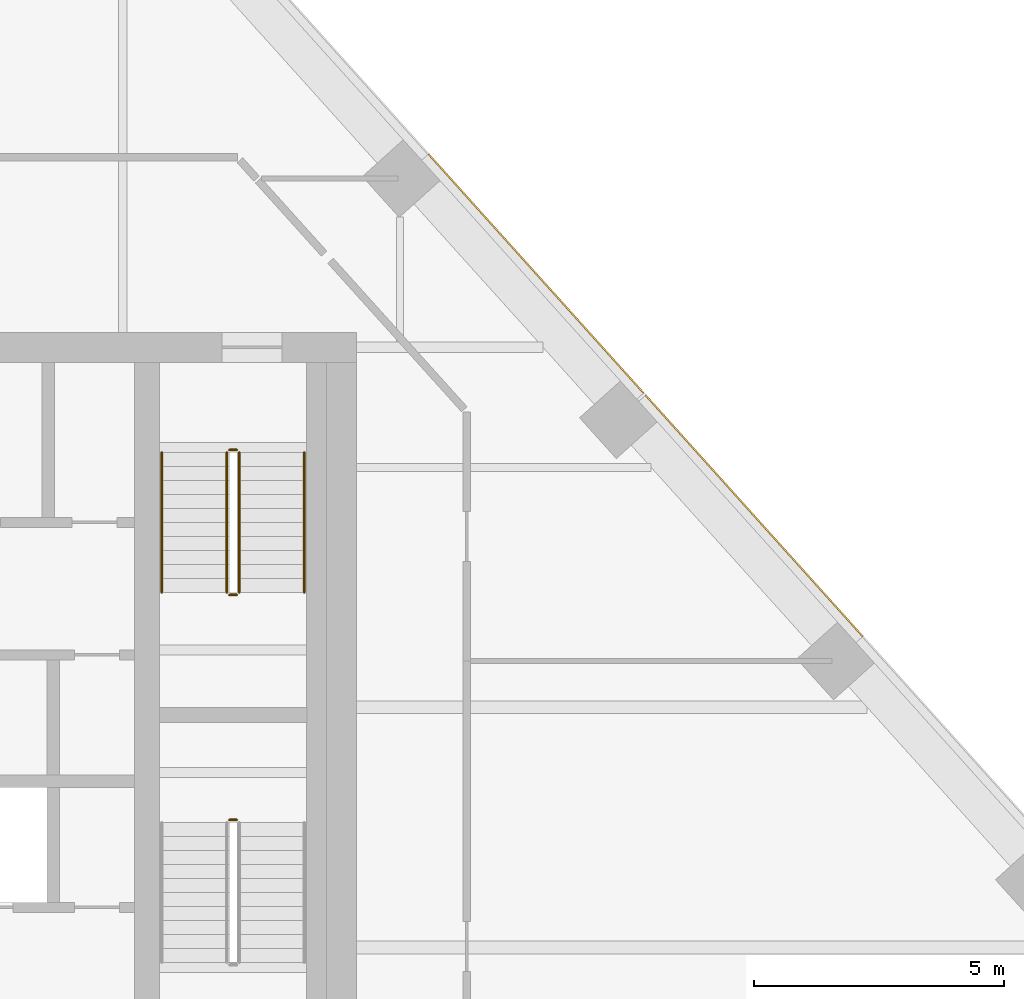
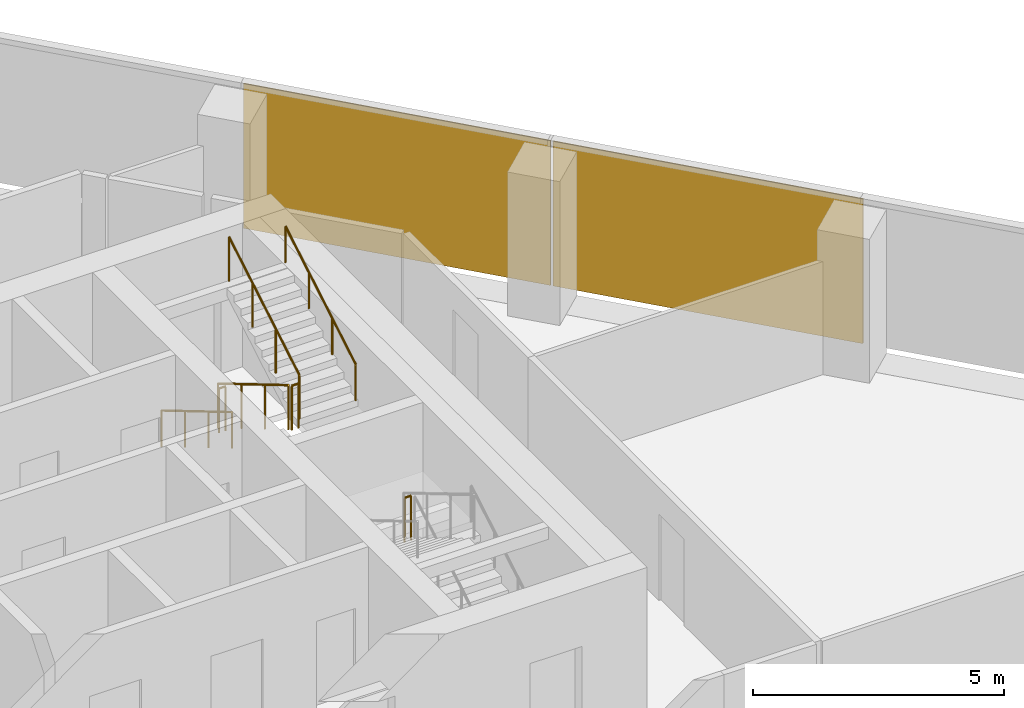
# One storey, part 15 of 15: 7 railings, 2 coverings, 1 element without a shape of its own.
"""IFC4 building model written with IfcOpenShell, lengths in metres."""

from ifc_helpers import new_model, si_unit, direction, frame, origin, origin_2d, place, context, subcontext, project, spatial, rectangle, circle, extrude, material, layer, layer_set, type_object, element, aggregate, save


model = new_model("IFC4")

# Units and contexts
model_context = context("Model", 3, precision=1e-05, world=origin(), true_north=direction((0.0, 1.0)))
body_context = subcontext(model_context, "Body", "Model", "MODEL_VIEW")
ifc_project = project(units=[si_unit("LENGTHUNIT", "METRE"), si_unit("AREAUNIT", "SQUARE_METRE"), si_unit("VOLUMEUNIT", "CUBIC_METRE"), si_unit("PLANEANGLEUNIT", "RADIAN"), si_unit("MASSUNIT", "GRAM", prefix="KILO")], contexts=[model_context])

# Site, building, storey
site_placement = place(None, origin())
site = spatial("IfcSite", under=ifc_project, at=site_placement, CompositionType="ELEMENT")
building_placement = place(site_placement, origin())
building = spatial("IfcBuilding", under=site, at=building_placement, Name="Isthmus Gate Tower", CompositionType="ELEMENT")
storey_placement = place(building_placement, frame((0.0, 0.0, 230.89990234375)))
storey = spatial("IfcBuildingStorey", under=building, at=storey_placement, Name="L58", CompositionType="ELEMENT", Elevation=230.89990234375)

# Curtain wall, coverings
ifc_material_1 = material(Name="Aluminium, pale champagne anodised", Category="aluminium")
ifc_layer_1 = layer(ifc_material_1, 0.199951171875)
ifc_layer_set_1 = layer_set([ifc_layer_1], Name="CW-1 UNITISED CURTAIN WALL 200 DEEP")
curtain_wall_type = type_object("IfcCurtainWallType", Name="CW-1 UNITISED CURTAIN WALL 200 DEEP", PredefinedType="NOTDEFINED", material=ifc_layer_set_1)
curtain_wall_placement = place(storey_placement, origin())
curtain_wall = element("IfcCurtainWall", 1, at=curtain_wall_placement, inside=storey, type_object=curtain_wall_type, Name="CW-1 NE L58", PredefinedType="NOTDEFINED")
ifc_material_2 = material(Name="Aluminium composite panel, pale champagne anodised", Category="aluminium")
ifc_layer_2 = layer(ifc_material_2, 0.031982421875)
ifc_layer_set_2 = layer_set([ifc_layer_2], Name="CW-1 PALE METAL PANEL 32")
covering_type = type_object("IfcCoveringType", Name="CW-1 PALE METAL PANEL 32", PredefinedType="CLADDING", material=ifc_layer_set_2)
covering_1_placement = place(storey_placement, frame((22.950927734375, 11.330810546875, 0.0), z_axis=(0.0, 0.0, 1.0), x_axis=(-0.669130606359, 0.743144825477, 0.0)))
covering_1 = element("IfcCovering", 2, at=covering_1_placement, type_object=covering_type, Name="CW-1 pale metal panel", PredefinedType="CLADDING", context=body_context, shape_type="SweptSolid", body=[
    extrude(rectangle(XDim=6.491943359375, YDim=0.031982421875, at=origin_2d()), origin(), (0.0, 0.0, 1.0), 3.52001953125),
])
covering_2_placement = place(storey_placement, frame((18.5869140625, 16.177734375, 0.0), z_axis=(0.0, 0.0, 1.0), x_axis=(-0.669130606359, 0.743144825477, 0.0)))
covering_2 = element("IfcCovering", 3, at=covering_2_placement, type_object=covering_type, Name="CW-1 pale metal panel", PredefinedType="CLADDING", context=body_context, shape_type="SweptSolid", body=[
    extrude(rectangle(XDim=6.431884765625, YDim=0.031982421875, at=origin_2d()), origin(), (0.0, 0.0, 1.0), 3.52001953125),
])
aggregate(curtain_wall, [covering_1, covering_2])

# Railings
ifc_material_3 = material(Name="Stainless steel balustrade", Category="steel")
railing_type_1 = type_object("IfcRailingType", Name="STAIR GUARD 1100", PredefinedType="GUARDRAIL", material=ifc_material_3)
railing_1_placement = place(storey_placement, frame((12.39990234375, 12.60009765625, 0.166015625)))
element("IfcRailing", 4, at=railing_1_placement, inside=storey, type_object=railing_type_1, Name="L58 ST2 stair guard 1", PredefinedType="GUARDRAIL", context=body_context, shape_type="SweptSolid", body=[
    extrude(circle(Radius=0.02392578125, at=origin_2d()), frame((0.0, 0.0, 1.076171875), z_axis=(0.0, -0.860306154799, 0.50977771628), x_axis=(1.0, 0.0, 0.0)), (0.0, 0.0, 1.0), 3.254638671875),
    extrude(circle(Radius=0.02099609375, at=origin_2d()), origin(), (0.0, 0.0, 1.0), 1.052001953125),
    extrude(circle(Radius=0.02099609375, at=origin_2d()), frame((0.0, -0.933349609375, 0.552978515625)), (0.0, 0.0, 1.0), 1.052001953125),
    extrude(circle(Radius=0.02099609375, at=origin_2d()), frame((0.0, -1.86669921875, 1.106201171875)), (0.0, 0.0, 1.0), 1.052001953125),
    extrude(circle(Radius=0.02099609375, at=origin_2d()), frame((0.0, -2.800048828125, 1.6591796875)), (0.0, 0.0, 1.0), 1.052001953125),
])
railing_2_placement = place(storey_placement, frame((12.449951171875, 9.75, 1.8251953125)))
element("IfcRailing", 5, at=railing_2_placement, inside=storey, type_object=railing_type_1, Name="L58 ST2 stair guard 2", PredefinedType="GUARDRAIL", context=body_context, shape_type="SweptSolid", body=[
    extrude(circle(Radius=0.02392578125, at=origin_2d()), frame((0.0, 0.0, 1.076171875), z_axis=(1.0, 0.0, 0.0), x_axis=(0.0, 1.0, 0.0)), (0.0, 0.0, 1.0), 0.150146484375),
    extrude(circle(Radius=0.02099609375, at=origin_2d()), origin(), (0.0, 0.0, 1.0), 1.052001953125),
    extrude(circle(Radius=0.02099609375, at=origin_2d()), frame((0.150146484375, 0.0, 0.0)), (0.0, 0.0, 1.0), 1.052001953125),
])
railing_3_placement = place(storey_placement, frame((12.64990234375, 9.800048828125, 1.990966796875)))
element("IfcRailing", 6, at=railing_3_placement, inside=storey, type_object=railing_type_1, Name="L58 ST2 stair guard 3", PredefinedType="GUARDRAIL", context=body_context, shape_type="SweptSolid", body=[
    extrude(circle(Radius=0.02392578125, at=origin_2d()), frame((0.0, 0.0, 1.076171875), z_axis=(0.0, 0.860306154799, 0.50977771628), x_axis=(-1.0, 0.0, 0.0)), (0.0, 0.0, 1.0), 3.254638671875),
    extrude(circle(Radius=0.02099609375, at=origin_2d()), origin(), (0.0, 0.0, 1.0), 1.052001953125),
    extrude(circle(Radius=0.02099609375, at=origin_2d()), frame((0.0, 0.933349609375, 0.552978515625)), (0.0, 0.0, 1.0), 1.052001953125),
    extrude(circle(Radius=0.02099609375, at=origin_2d()), frame((0.0, 1.86669921875, 1.106201171875)), (0.0, 0.0, 1.0), 1.052001953125),
    extrude(circle(Radius=0.02099609375, at=origin_2d()), frame((0.0, 2.800048828125, 1.6591796875)), (0.0, 0.0, 1.0), 1.052001953125),
])
railing_4_placement = place(storey_placement, frame((12.449951171875, 12.64990234375, 0.0)))
element("IfcRailing", 7, at=railing_4_placement, inside=storey, type_object=railing_type_1, Name="L58 ST2 stair guard 4", PredefinedType="GUARDRAIL", context=body_context, shape_type="SweptSolid", body=[
    extrude(circle(Radius=0.02392578125, at=origin_2d()), frame((0.0, 0.0, 1.076171875), z_axis=(1.0, 0.0, 0.0), x_axis=(0.0, 1.0, 0.0)), (0.0, 0.0, 1.0), 0.150146484375),
    extrude(circle(Radius=0.02099609375, at=origin_2d()), origin(), (0.0, 0.0, 1.0), 1.052001953125),
    extrude(circle(Radius=0.02099609375, at=origin_2d()), frame((0.150146484375, 0.0, 0.0)), (0.0, 0.0, 1.0), 1.052001953125),
])
railing_5_placement = place(storey_placement, frame((12.60009765625, 5.25, 1.8251953125)))
element("IfcRailing", 8, at=railing_5_placement, inside=storey, type_object=railing_type_1, Name="L58 ST8 stair guard 2", PredefinedType="GUARDRAIL", context=body_context, shape_type="SweptSolid", body=[
    extrude(circle(Radius=0.02392578125, at=origin_2d()), frame((0.0, 0.0, 1.076171875), z_axis=(-1.0, 0.0, 0.0), x_axis=(0.0, -1.0, 0.0)), (0.0, 0.0, 1.0), 0.150146484375),
    extrude(circle(Radius=0.02099609375, at=origin_2d()), origin(), (0.0, 0.0, 1.0), 1.052001953125),
    extrude(circle(Radius=0.02099609375, at=origin_2d()), frame((-0.150146484375, 0.0, 0.0)), (0.0, 0.0, 1.0), 1.052001953125),
])
ifc_material_4 = material(Name="Stainless steel handrail", Category="steel")
railing_type_2 = type_object("IfcRailingType", Name="STAIR HANDRAIL 900", PredefinedType="HANDRAIL", material=ifc_material_4)
railing_6_placement = place(storey_placement, frame((11.10009765625, 12.60009765625, 0.166015625)))
element("IfcRailing", 9, at=railing_6_placement, inside=storey, type_object=railing_type_2, Name="L58 ST2 stair handrail 1", PredefinedType="HANDRAIL", context=body_context, shape_type="SweptSolid", body=[
    extrude(circle(Radius=0.02392578125, at=origin_2d()), frame((0.0, 0.0, 0.8759765625), z_axis=(0.0, -0.860306154799, 0.50977771628), x_axis=(1.0, 0.0, 0.0)), (0.0, 0.0, 1.0), 3.254638671875),
    extrude(circle(Radius=0.02099609375, at=origin_2d()), origin(), (0.0, 0.0, 1.0), 0.851806640625),
    extrude(circle(Radius=0.02099609375, at=origin_2d()), frame((0.0, -0.933349609375, 0.552978515625)), (0.0, 0.0, 1.0), 0.851806640625),
    extrude(circle(Radius=0.02099609375, at=origin_2d()), frame((0.0, -1.86669921875, 1.106201171875)), (0.0, 0.0, 1.0), 0.851806640625),
    extrude(circle(Radius=0.02099609375, at=origin_2d()), frame((0.0, -2.800048828125, 1.6591796875)), (0.0, 0.0, 1.0), 0.851806640625),
])
railing_7_placement = place(storey_placement, frame((13.949951171875, 9.800048828125, 1.990966796875)))
element("IfcRailing", 10, at=railing_7_placement, inside=storey, type_object=railing_type_2, Name="L58 ST2 stair handrail 2", PredefinedType="HANDRAIL", context=body_context, shape_type="SweptSolid", body=[
    extrude(circle(Radius=0.02392578125, at=origin_2d()), frame((0.0, 0.0, 0.8759765625), z_axis=(0.0, 0.860306154799, 0.50977771628), x_axis=(-1.0, 0.0, 0.0)), (0.0, 0.0, 1.0), 3.254638671875),
    extrude(circle(Radius=0.02099609375, at=origin_2d()), origin(), (0.0, 0.0, 1.0), 0.851806640625),
    extrude(circle(Radius=0.02099609375, at=origin_2d()), frame((0.0, 0.933349609375, 0.552978515625)), (0.0, 0.0, 1.0), 0.851806640625),
    extrude(circle(Radius=0.02099609375, at=origin_2d()), frame((0.0, 1.86669921875, 1.106201171875)), (0.0, 0.0, 1.0), 0.851806640625),
    extrude(circle(Radius=0.02099609375, at=origin_2d()), frame((0.0, 2.800048828125, 1.6591796875)), (0.0, 0.0, 1.0), 0.851806640625),
])

save(model, "model.ifc")
